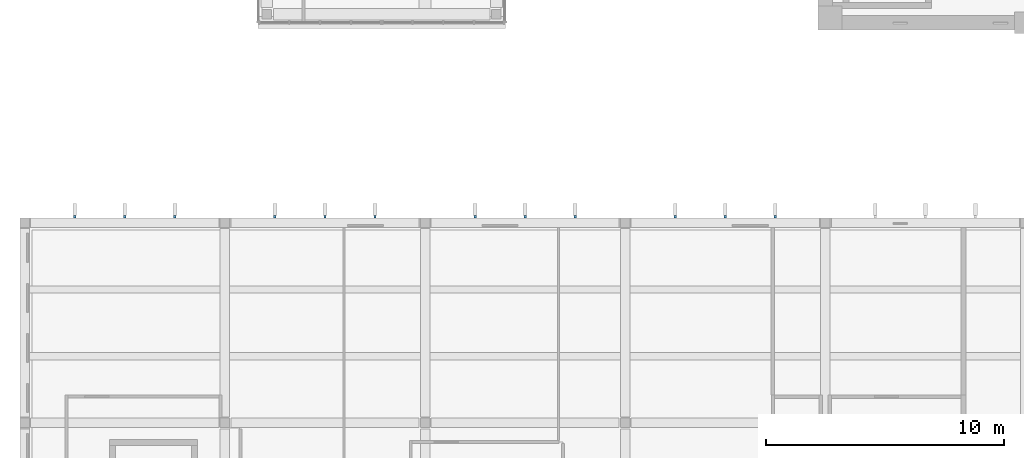
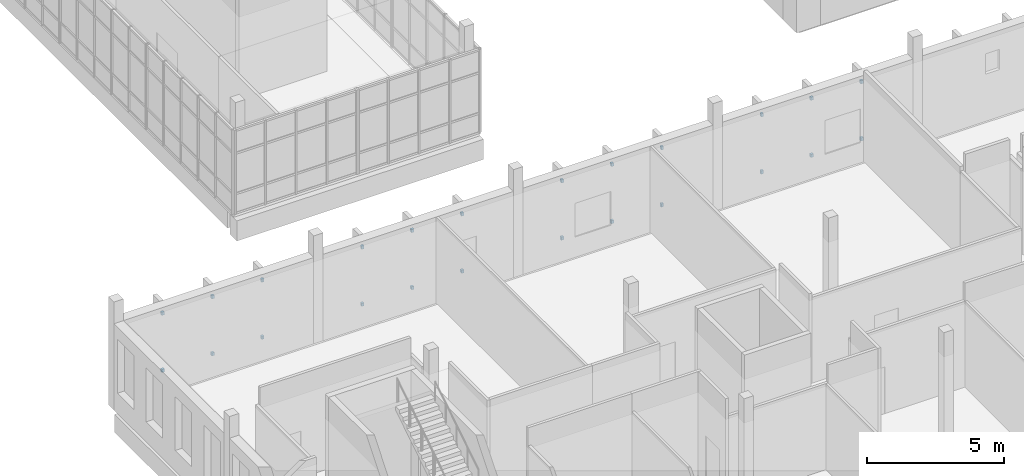
# One storey, part 70 of 103: 24 discrete accessories.
"""IFC4 building model written with IfcOpenShell, lengths in metres."""

from ifc_helpers import new_model, si_unit, direction, frame, origin, origin_2d, place, context, subcontext, project, spatial, rectangle, extrude, material, layer, layer_set, type_object, element, save


model = new_model("IFC4")

# Units and contexts
model_context = context("Model", 3, precision=1e-05, world=origin(), true_north=direction((0.0, 1.0)))
body_context = subcontext(model_context, "Body", "Model", "MODEL_VIEW")
ifc_project = project(units=[si_unit("LENGTHUNIT", "METRE"), si_unit("AREAUNIT", "SQUARE_METRE"), si_unit("VOLUMEUNIT", "CUBIC_METRE"), si_unit("PLANEANGLEUNIT", "RADIAN"), si_unit("MASSUNIT", "GRAM", prefix="KILO")], contexts=[model_context])

# Site, building, storey
site_placement = place(None, origin())
site = spatial("IfcSite", under=ifc_project, at=site_placement, CompositionType="ELEMENT")
building_placement = place(site_placement, origin())
building = spatial("IfcBuilding", under=site, at=building_placement, Name="Larchfold Concert Hall", CompositionType="ELEMENT")
storey_placement = place(building_placement, frame((0.0, 0.0, 9.60009765625)))
storey = spatial("IfcBuildingStorey", under=building, at=storey_placement, Name="L02", CompositionType="ELEMENT", Elevation=9.60009765625)

# Discrete accessories
ifc_material = material(Name="Steel S355 galvanised bracket", Category="steel")
ifc_layer = layer(ifc_material, 0.10009765625)
ifc_layer_set = layer_set([ifc_layer], Name="Steel S355 galvanised bracket")
discrete_accessory_type = type_object("IfcDiscreteAccessoryType", Name="Fin support bracket", PredefinedType="BRACKET", material=ifc_layer_set)
for number, where, z_axis, x_axis, name in (
    (1, (27.89990234375, 26.050048828125, 0.6298828125), (0.0, 0.0, 1.0), (0.0, 1.0, 0.0), "Fin bracket FN-L02-007-1"),
    (2, (27.89990234375, 26.050048828125, 3.169921875), (0.0, 0.0, 1.0), (0.0, 1.0, 0.0), "Fin bracket FN-L02-007-2"),
    (3, (30.0, 26.050048828125, 0.6298828125), (0.0, 0.0, 1.0), (0.0, 1.0, 0.0), "Fin bracket FN-L02-008-1"),
    (4, (30.0, 26.050048828125, 3.169921875), (0.0, 0.0, 1.0), (0.0, 1.0, 0.0), "Fin bracket FN-L02-008-2"),
    (5, (32.10009765625, 26.050048828125, 0.6298828125), (0.0, 0.0, 1.0), (0.0, 1.0, 0.0), "Fin bracket FN-L02-009-1"),
    (6, (32.10009765625, 26.050048828125, 3.169921875), (0.0, 0.0, 1.0), (0.0, 1.0, 0.0), "Fin bracket FN-L02-009-2"),
    (7, (19.5, 26.050048828125, 0.6298828125), (0.0, 0.0, 1.0), (0.0, 1.0, 0.0), "Fin bracket FN-L02-010-1"),
    (8, (19.5, 26.050048828125, 3.169921875), (0.0, 0.0, 1.0), (0.0, 1.0, 0.0), "Fin bracket FN-L02-010-2"),
    (9, (21.60009765625, 26.050048828125, 0.6298828125), (0.0, 0.0, 1.0), (0.0, 1.0, 0.0), "Fin bracket FN-L02-011-1"),
    (10, (21.60009765625, 26.050048828125, 3.169921875), (0.0, 0.0, 1.0), (0.0, 1.0, 0.0), "Fin bracket FN-L02-011-2"),
    (11, (23.699951171875, 26.050048828125, 0.6298828125), (0.0, 0.0, 1.0), (0.0, 1.0, 0.0), "Fin bracket FN-L02-012-1"),
    (12, (23.699951171875, 26.050048828125, 3.169921875), (0.0, 0.0, 1.0), (0.0, 1.0, 0.0), "Fin bracket FN-L02-012-2"),
    (13, (11.10009765625, 26.050048828125, 0.6298828125), (0.0, 0.0, 1.0), (0.0, 1.0, 0.0), "Fin bracket FN-L02-013-1"),
    (14, (11.10009765625, 26.050048828125, 3.169921875), (0.0, 0.0, 1.0), (0.0, 1.0, 0.0), "Fin bracket FN-L02-013-2"),
    (15, (13.199951171875, 26.050048828125, 0.6298828125), (0.0, 0.0, 1.0), (0.0, 1.0, 0.0), "Fin bracket FN-L02-014-1"),
    (16, (13.199951171875, 26.050048828125, 3.169921875), (0.0, 0.0, 1.0), (0.0, 1.0, 0.0), "Fin bracket FN-L02-014-2"),
    (17, (15.300048828125, 26.050048828125, 0.6298828125), (0.0, 0.0, 1.0), (0.0, 1.0, 0.0), "Fin bracket FN-L02-015-1"),
    (18, (15.300048828125, 26.050048828125, 3.169921875), (0.0, 0.0, 1.0), (0.0, 1.0, 0.0), "Fin bracket FN-L02-015-2"),
    (19, (2.699951171875, 26.050048828125, 0.6298828125), (0.0, 0.0, 1.0), (0.0, 1.0, 0.0), "Fin bracket FN-L02-016-1"),
    (20, (2.699951171875, 26.050048828125, 3.169921875), (0.0, 0.0, 1.0), (0.0, 1.0, 0.0), "Fin bracket FN-L02-016-2"),
    (21, (4.800048828125, 26.050048828125, 0.6298828125), (0.0, 0.0, 1.0), (0.0, 1.0, 0.0), "Fin bracket FN-L02-017-1"),
    (22, (4.800048828125, 26.050048828125, 3.169921875), (0.0, 0.0, 1.0), (0.0, 1.0, 0.0), "Fin bracket FN-L02-017-2"),
    (23, (6.89990234375, 26.050048828125, 0.6298828125), (0.0, 0.0, 1.0), (0.0, 1.0, 0.0), "Fin bracket FN-L02-018-1"),
    (24, (6.89990234375, 26.050048828125, 3.169921875), (0.0, 0.0, 1.0), (0.0, 1.0, 0.0), "Fin bracket FN-L02-018-2"),
):
    element("IfcDiscreteAccessory", number, at=place(storey_placement, frame(where, z_axis=z_axis, x_axis=x_axis)), inside=storey, type_object=discrete_accessory_type, Name=name, PredefinedType="BRACKET", context=body_context, shape_type="SweptSolid", body=[
        extrude(rectangle(XDim=0.10009765625, YDim=0.10009765625, at=origin_2d()), origin(), (0.0, 0.0, 1.0), 0.139892578125),
    ])

save(model, "model.ifc")
